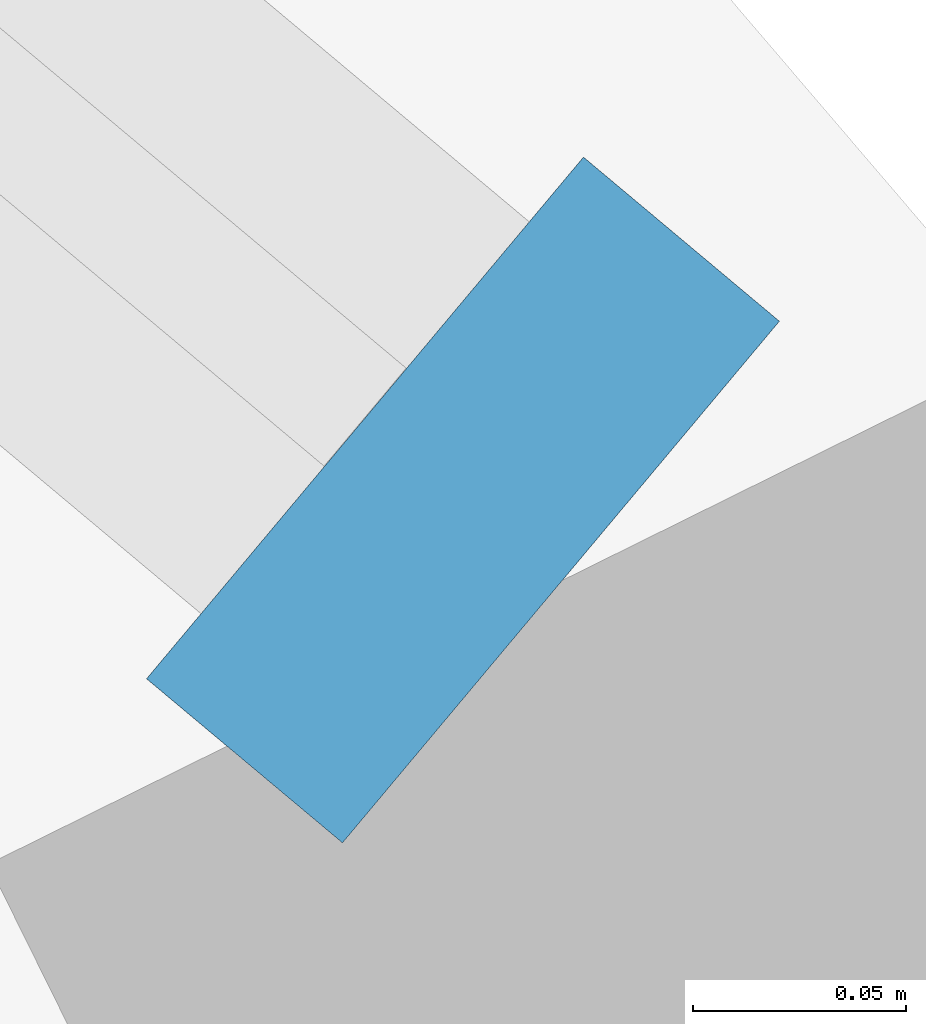
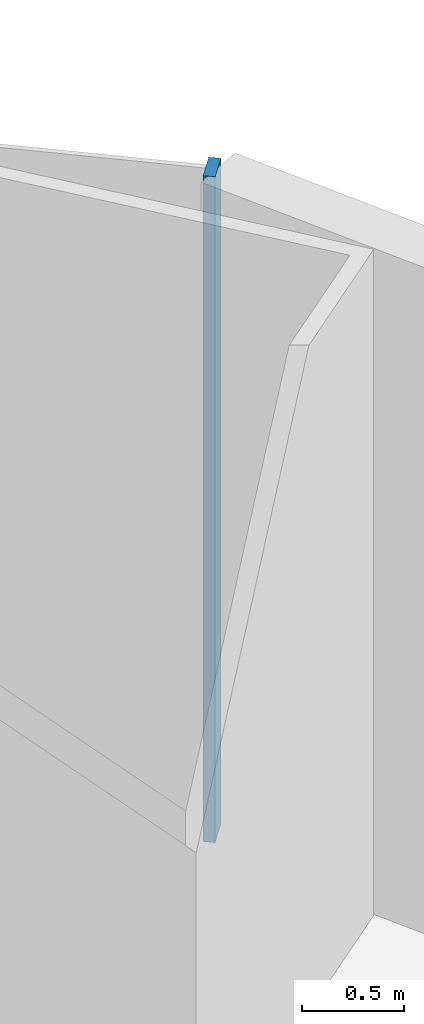
# One storey, part 12 of 23: 1 member, 1 element without a shape of its own.
"""IFC4 building model written with IfcOpenShell, lengths in metres."""

from ifc_helpers import new_model, si_unit, direction, frame, origin, origin_2d, place, context, subcontext, project, spatial, rectangle, extrude, material, material_profile, profile_set, type_object, element, aggregate, save


model = new_model("IFC4")

# Units and contexts
model_context = context("Model", 3, precision=1e-05, world=origin(), true_north=direction((0.0, 1.0)))
body_context = subcontext(model_context, "Body", "Model", "MODEL_VIEW")
ifc_project = project(units=[si_unit("LENGTHUNIT", "METRE"), si_unit("AREAUNIT", "SQUARE_METRE"), si_unit("VOLUMEUNIT", "CUBIC_METRE"), si_unit("PLANEANGLEUNIT", "RADIAN"), si_unit("MASSUNIT", "GRAM", prefix="KILO")], contexts=[model_context])

# Site, building, storey
site_placement = place(None, origin())
site = spatial("IfcSite", under=ifc_project, at=site_placement, CompositionType="ELEMENT")
building_placement = place(site_placement, origin())
building = spatial("IfcBuilding", under=site, at=building_placement, Name="Marenthal Gate Tower", CompositionType="ELEMENT")
storey_placement = place(building_placement, frame((0.0, 0.0, 57.89990234375)))
storey = spatial("IfcBuildingStorey", under=building, at=storey_placement, Name="L10", CompositionType="ELEMENT", Elevation=57.89990234375)

# Curtain wall, member
ifc_material_1 = material(Name="Aluminium and glass", Category="aluminium")
curtain_wall_type = type_object("IfcCurtainWallType", Name="Curtain wall typical low", PredefinedType="NOTDEFINED", material=ifc_material_1)
curtain_wall_placement = place(storey_placement, origin())
curtain_wall = element("IfcCurtainWall", 1, at=curtain_wall_placement, inside=storey, type_object=curtain_wall_type, Name="Curtain wall L10 bay 2", PredefinedType="NOTDEFINED")
ifc_material_2 = material(Name="Aluminium", Category="aluminium")
ifc_material_profile = material_profile(ifc_material_2, rectangle(XDim=0.159912109375, YDim=0.06005859375, at=origin_2d()), Name="60x160 aluminium mullion")
ifc_profile_set = profile_set([ifc_material_profile], Name="Aluminium")
member_type = type_object("IfcMemberType", Name="Mullion 60x160 typical low", PredefinedType="MULLION", material=ifc_profile_set)
member_placement = place(storey_placement, frame((29.90576171875, 16.76904296875, 0.0), z_axis=(0.0, 0.0, 1.0), x_axis=(-0.642111737517, -0.766611059497, 0.0)))
member = element("IfcMember", 2, at=member_placement, type_object=member_type, Name="Mullion L10 bay 2.1", PredefinedType="MULLION", context=body_context, shape_type="SweptSolid", body=[
    extrude(rectangle(XDim=0.159912109375, YDim=0.06005859375, at=origin_2d()), origin(), (0.0, 0.0, 1.0), 3.97021484375),
])
aggregate(curtain_wall, [member])

save(model, "model.ifc")
